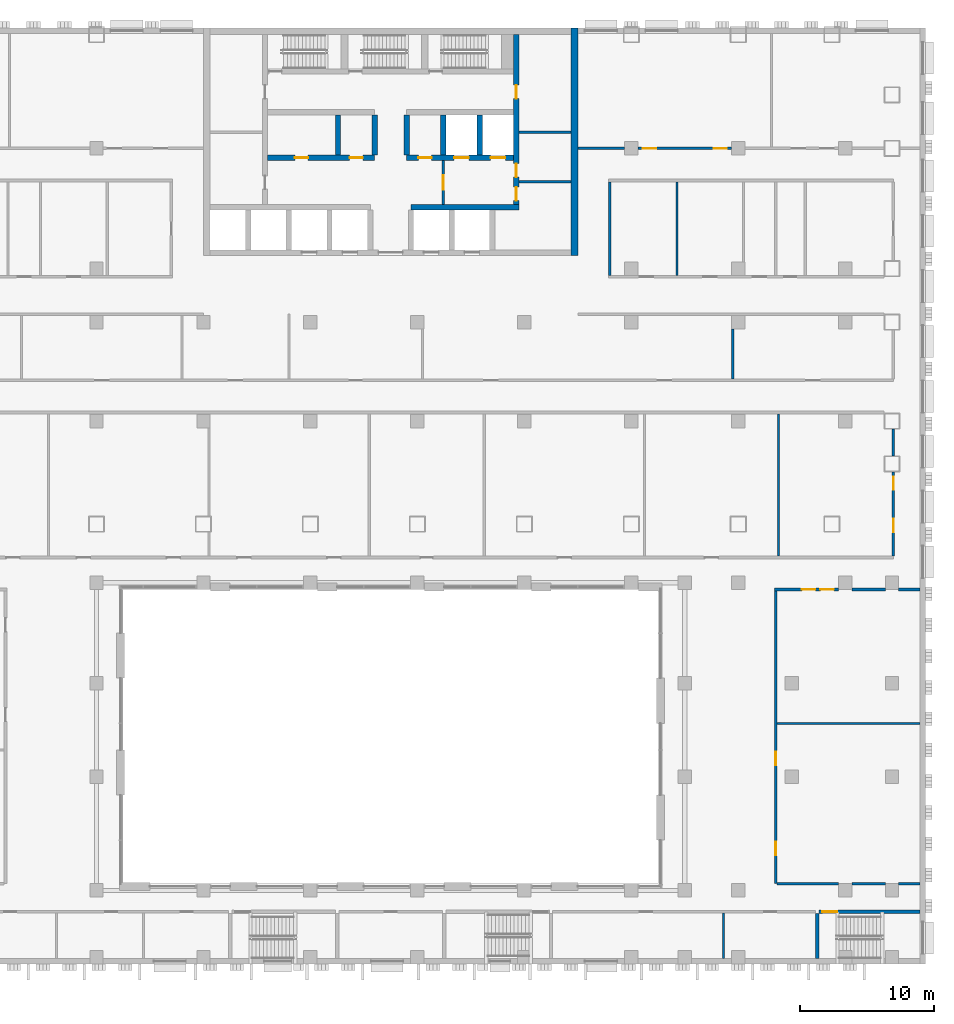
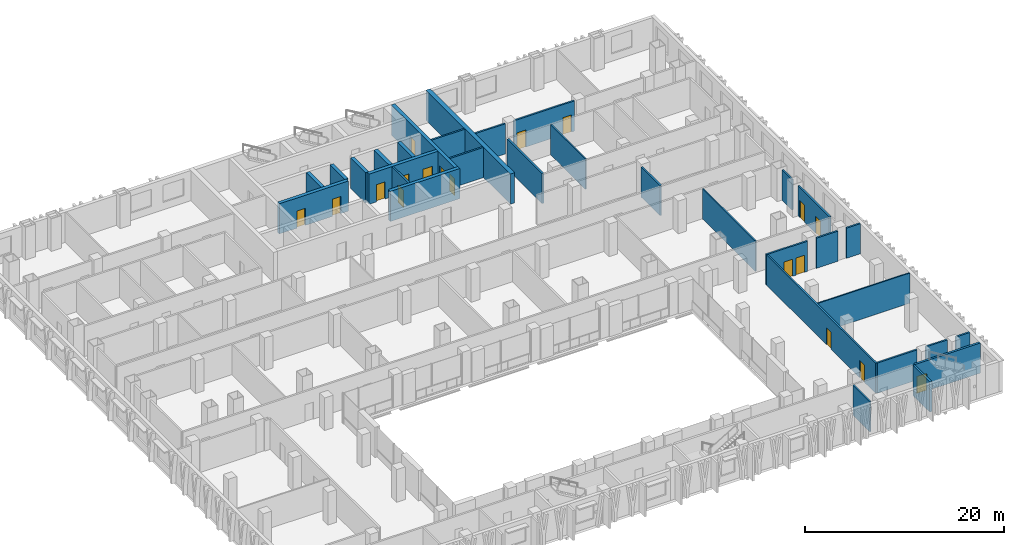
# One storey, part 14 of 25: 32 walls, 18 doors, 18 openings.
"""IFC4 building model written with IfcOpenShell, lengths in metres."""

import ifcopenshell
import ifcopenshell.guid

model = None  # the IFC model being written
_history = None  # IfcOwnerHistory: only IFC2X3 demands one
_inside = {}  # id of a spatial element -> (the spatial element, [elements in it])
_under = {}  # id of a project, library or spatial element -> (it, [spatial elements below it])
_declared = {}  # id of a project -> (the project, [libraries it declares])
_typed = {}  # id of a type object -> (the type object, [elements of that type])
_made_of = {}  # id of a material, layer set ... -> (it, [elements and type objects made of it])


def new_model(schema):
    """Start an empty IFC model of exactly this schema.

    Asked for "IFC4X3", IfcOpenShell would pick the latest addendum, in which some entities
    have other attributes; the version numbers below select the first issue.
    IFC2X3 requires an IfcOwnerHistory on every rooted entity: one is made here for all.
    """
    global model, _history
    if schema == "IFC4X3":
        model = ifcopenshell.file(schema_version=(4, 3, 0, 0))
    else:
        model = ifcopenshell.file(schema=schema)
    _inside.clear()
    _under.clear()
    _declared.clear()
    _typed.clear()
    _made_of.clear()
    _history = None
    if model.schema == "IFC2X3":
        org = make("IfcOrganization", Name="unknown")
        user = make(
            "IfcPersonAndOrganization",
            ThePerson=make("IfcPerson", FamilyName="unknown"),
            TheOrganization=org,
        )
        app = make(
            "IfcApplication",
            ApplicationDeveloper=org,
            Version="unknown",
            ApplicationFullName="unknown",
            ApplicationIdentifier="unknown",
        )
        _history = make(
            "IfcOwnerHistory",
            OwningUser=user,
            OwningApplication=app,
            ChangeAction="ADDED",
            CreationDate=0,
        )
    return model


def make(cls, **values):
    """One entity of the class cls with the attributes given. An attribute that is None is left unset."""
    return model.create_entity(
        cls, **{name: value for name, value in values.items() if value is not None}
    )


def rooted(cls, **values):
    """An entity with a GlobalId (a new one), such as an element, a storey or a relation."""
    return make(cls, GlobalId=ifcopenshell.guid.new(), OwnerHistory=_history, **values)


def si_unit(unit_type, name, prefix=None):
    """IfcSIUnit, for example si_unit("LENGTHUNIT", "METRE", prefix="MILLI")."""
    return make("IfcSIUnit", UnitType=unit_type, Prefix=prefix, Name=name)


def assignment(units):
    """IfcUnitAssignment: the units of a project."""
    return None if units is None else make("IfcUnitAssignment", Units=units)


def point(xyz):
    """IfcCartesianPoint."""
    return None if xyz is None else make("IfcCartesianPoint", Coordinates=xyz)


def direction(xyz):
    """IfcDirection."""
    return None if xyz is None else make("IfcDirection", DirectionRatios=xyz)


def frame(location, z_axis=None, x_axis=None):
    """IfcAxis2Placement3D, a coordinate frame: its origin and axes. An axis left out is left unset."""
    return make(
        "IfcAxis2Placement3D",
        Location=point(location),
        Axis=direction(z_axis),
        RefDirection=direction(x_axis),
    )


def frame_2d(location, x_axis=None):
    """IfcAxis2Placement2D, a coordinate frame in the plane: its origin and x axis."""
    return make(
        "IfcAxis2Placement2D", Location=point(location), RefDirection=direction(x_axis)
    )


def origin():
    """The frame at (0, 0, 0) with its axes left unset."""
    return frame((0.0, 0.0, 0.0))


def place(relative_to, where):
    """IfcLocalPlacement: puts the frame where relative to a parent placement (None: the world)."""
    return make(
        "IfcLocalPlacement", PlacementRelTo=relative_to, RelativePlacement=where
    )


def context(
    kind, dimensions, precision=None, world=None, true_north=None, identifier=None
):
    """IfcGeometricRepresentationContext, for example the 3D "Model" context."""
    return make(
        "IfcGeometricRepresentationContext",
        ContextIdentifier=identifier,
        ContextType=kind,
        CoordinateSpaceDimension=dimensions,
        Precision=precision,
        WorldCoordinateSystem=world,
        TrueNorth=true_north,
    )


def subcontext(parent, identifier, kind, view, scale=None):
    """IfcGeometricRepresentationSubContext, for example "Body" below "Model"."""
    return make(
        "IfcGeometricRepresentationSubContext",
        ContextIdentifier=identifier,
        ContextType=kind,
        ParentContext=parent,
        TargetScale=scale,
        TargetView=view,
    )


def project(units=None, contexts=None):
    """IfcProject with its units and contexts."""
    return rooted(
        "IfcProject",
        Name="project",
        RepresentationContexts=contexts,
        UnitsInContext=assignment(units),
    )


def spatial(cls, under=None, at=None, **own):
    """A site, building, storey or space (cls), placed at a placement, below another one or the project."""
    s = rooted(cls, ObjectPlacement=at, **own)
    if under is not None:
        _under.setdefault(under.id(), (under, []))[1].append(s)
    return s


def profile(cls, at=None, kind="AREA", **sizes):
    """A parametric profile (cls). Its sizes go by their IFC names, for example OverallWidth=200.0."""
    return make(cls, ProfileType=kind, Position=at, **sizes)


def rectangle(**sizes):
    """IfcRectangleProfileDef."""
    return profile("IfcRectangleProfileDef", **sizes)


def extrude(swept, where, along, depth):
    """IfcExtrudedAreaSolid: the profile swept, set in the frame where, extruded along a direction by depth."""
    return make(
        "IfcExtrudedAreaSolid",
        SweptArea=swept,
        Position=where,
        ExtrudedDirection=direction(along),
        Depth=depth,
    )


def shape(context_of_items, identifier, shape_type, items):
    """IfcShapeRepresentation: the items that make up one representation, for example the "Body"."""
    return make(
        "IfcShapeRepresentation",
        ContextOfItems=context_of_items,
        RepresentationIdentifier=identifier,
        RepresentationType=shape_type,
        Items=items,
    )


def material(Name=None, Category=None):
    """IfcMaterial."""
    return make("IfcMaterial", Name=Name, Category=Category)


def layer(
    of_material, thickness, ventilated=None, Name=None, Category=None, Priority=None
):
    """IfcMaterialLayer: one layer of a wall or slab, of a material (None: an air gap)."""
    return make(
        "IfcMaterialLayer",
        Material=of_material,
        LayerThickness=thickness,
        IsVentilated=ventilated,
        Name=Name,
        Category=Category,
        Priority=Priority,
    )


def layer_set(layers, Name=None):
    """IfcMaterialLayerSet."""
    return make("IfcMaterialLayerSet", MaterialLayers=layers, LayerSetName=Name)


def made_of(thing, what):
    """Note that an element or type object is made of a material, layer set ...; save() writes the relation."""
    if what is not None:
        _made_of.setdefault(what.id(), (what, []))[1].append(thing)
    return thing


def type_object(cls, material=None, **own):
    """A type object (cls), such as IfcWallType, which elements share."""
    return made_of(rooted(cls, **own), material)


def element(
    cls,
    number,
    at=None,
    inside=None,
    cuts=None,
    type_object=None,
    material=None,
    context=None,
    identifier="Body",
    shape_type=None,
    held_by="IfcProductDefinitionShape",
    body=None,
    shapes=None,
    **own,
):
    """One element of the class cls, such as IfcWall. Its Tag is "e" and its number.

    at: its placement. inside: the storey or other place that contains it. cuts: it is an
    opening in that element (IfcRelVoidsElement). A single representation is given by context,
    identifier, shape_type and body (its items); several are given by shapes. held_by: the class
    of the entity that holds the representations. save() writes the other relations.
    """
    e = rooted(cls, Tag="e%d" % number, ObjectPlacement=at, **own)
    if body is not None:
        shapes = [shape(context, identifier, shape_type, body)]
    if shapes is not None:
        e.Representation = make(held_by, Representations=shapes)
    if inside is not None:
        _inside.setdefault(inside.id(), (inside, []))[1].append(e)
    if cuts is not None:
        rooted(
            "IfcRelVoidsElement", RelatingBuildingElement=cuts, RelatedOpeningElement=e
        )
    if type_object is not None:
        _typed.setdefault(type_object.id(), (type_object, []))[1].append(e)
    return made_of(e, material)


def fill(opening, filler):
    """IfcRelFillsElement: the door or window that sits in an opening."""
    return rooted(
        "IfcRelFillsElement",
        RelatingOpeningElement=opening,
        RelatedBuildingElement=filler,
    )


def aggregate(whole, parts):
    """IfcRelAggregates: a whole, such as a stair, and the parts it consists of."""
    return rooted("IfcRelAggregates", RelatingObject=whole, RelatedObjects=parts)


def save(model, path):
    """Write the relations noted so far, then the file.

    IfcRelAggregates (storeys below a building ...), IfcRelContainedInSpatialStructure (elements
    in a storey), IfcRelDefinesByType, IfcRelAssociatesMaterial and IfcRelDeclares: one each for
    every whole, place, type object, material and project.
    """
    for whole, parts in _under.values():
        aggregate(whole, parts)
    for where, things in _inside.values():
        rooted(
            "IfcRelContainedInSpatialStructure",
            RelatedElements=things,
            RelatingStructure=where,
        )
    for kind, things in _typed.values():
        rooted("IfcRelDefinesByType", RelatedObjects=things, RelatingType=kind)
    for what, things in _made_of.values():
        rooted("IfcRelAssociatesMaterial", RelatedObjects=things, RelatingMaterial=what)
    for by, libraries in _declared.values():
        rooted("IfcRelDeclares", RelatingContext=by, RelatedDefinitions=libraries)
    model.write(path)


model = new_model("IFC4")

# Units and contexts
model_context = context("Model", 3, precision=1e-05, world=origin(), true_north=direction((0.0, 1.0)))
body_context = subcontext(model_context, "Body", "Model", "MODEL_VIEW")
ifc_project = project(units=[si_unit("LENGTHUNIT", "METRE"), si_unit("AREAUNIT", "SQUARE_METRE"), si_unit("VOLUMEUNIT", "CUBIC_METRE"), si_unit("PLANEANGLEUNIT", "RADIAN"), si_unit("MASSUNIT", "GRAM", prefix="KILO")], contexts=[model_context])

# Site, building, storey
site_placement = place(None, origin())
site = spatial("IfcSite", under=ifc_project, at=site_placement, CompositionType="ELEMENT")
building_placement = place(site_placement, origin())
building = spatial("IfcBuilding", under=site, at=building_placement, Name="Vidyagriha Tower", CompositionType="ELEMENT")
storey_placement = place(building_placement, frame((0.0, 0.0, 14.0)))
storey = spatial("IfcBuildingStorey", under=building, at=storey_placement, Name="L03", CompositionType="ELEMENT", Elevation=14.0)

# Wall, opening, door
ifc_material_1 = material(Name="Concrete C32/40", Category="concrete")
ifc_layer_1 = layer(ifc_material_1, 0.25)
ifc_layer_set_1 = layer_set([ifc_layer_1], Name="Concrete C32/40")
wall_type_1 = type_object("IfcWallType", Name="Concrete Stair Enclosure Wall 250", PredefinedType="SOLIDWALL", material=ifc_layer_set_1)
wall_1_placement = place(storey_placement, frame((32.02490234375, -46.10009765625, 0.0)))
wall_1 = element("IfcWall", 1, at=wall_1_placement, inside=storey, type_object=wall_type_1, Name="L03 Concrete Stair Enclosure Wall 250 006", PredefinedType="SOLIDWALL", context=body_context, shape_type="SweptSolid", body=[
    extrude(rectangle(XDim=7.5751953125, YDim=0.25, at=frame_2d((3.78759765625, 0.0))), origin(), (0.0, 0.0, 1.0), 3.699951171875),
])
opening_1_placement = place(wall_1_placement, frame((0.27001953125, 0.0, 0.0)))
opening_1 = element("IfcOpeningElement", 2, at=opening_1_placement, cuts=wall_1, Name="Opening D03-65", PredefinedType="OPENING", context=body_context, shape_type="SweptSolid", body=[
    extrude(rectangle(XDim=1.10009765625, YDim=2.10009765625, at=frame_2d((0.550048828125, 1.050048828125))), frame((0.0, 0.135009765625, 0.0), z_axis=(0.0, -1.0, 0.0), x_axis=(1.0, 0.0, 0.0)), (0.0, 0.0, 1.0), 0.27001953125),
])
ifc_material_2 = material(Name="Steel fire door set", Category="steel")
door_type_1 = type_object("IfcDoorType", Name="Podium Door 1100x2100 EI 90", OperationType="NOTDEFINED", PredefinedType="DOOR", material=ifc_material_2)
door_1_placement = place(opening_1_placement, origin())
door_1 = element("IfcDoor", 3, at=door_1_placement, inside=storey, type_object=door_type_1, Name="L03 door D03-65", OperationType="SINGLE_SWING_LEFT", OverallHeight=2.10009765625, OverallWidth=1.10009765625, PredefinedType="DOOR", context=body_context, shape_type="SweptSolid", body=[
    extrude(rectangle(XDim=1.10009765625, YDim=2.10009765625, at=frame_2d((0.550048828125, 1.050048828125))), frame((0.0, 0.02490234375, 0.0), z_axis=(0.0, -1.0, 0.0), x_axis=(1.0, 0.0, 0.0)), (0.0, 0.0, 1.0), 0.050048828125),
])
fill(opening_1, door_1)

# Wall
wall_2_placement = place(storey_placement, frame((31.89990234375, -49.60009765625, 0.0), z_axis=(0.0, 0.0, 1.0), x_axis=(0.0, 1.0, 0.0)))
element("IfcWall", 4, at=wall_2_placement, inside=storey, type_object=wall_type_1, Name="L03 Concrete Stair Enclosure Wall 250 077", PredefinedType="SOLIDWALL", context=body_context, shape_type="SweptSolid", body=[
    extrude(rectangle(XDim=3.375, YDim=0.25, at=frame_2d((1.6875, 0.0))), origin(), (0.0, 0.0, 1.0), 3.699951171875),
])

# Wall, openings, doors
ifc_material_3 = material(Name="Concrete C60/75", Category="concrete")
ifc_layer_2 = layer(ifc_material_3, 0.39990234375)
ifc_layer_set_2 = layer_set([ifc_layer_2], Name="Concrete C60/75")
wall_type_2 = type_object("IfcWallType", Name="Core shear wall 400 mm", PredefinedType="SHEAR", material=ifc_layer_set_2)
wall_3_placement = place(storey_placement, frame((9.39990234375, 6.800048828125, 0.0), z_axis=(0.0, 0.0, 1.0), x_axis=(0.0, 1.0, 0.0)))
wall_3 = element("IfcWall", 5, at=wall_3_placement, inside=storey, type_object=wall_type_2, Name="Core east spine wall", PredefinedType="SHEAR", context=body_context, shape_type="SweptSolid", body=[
    extrude(rectangle(XDim=12.699951171875, YDim=0.39990234375, at=frame_2d((6.35009765625, 0.0))), origin(), (0.0, 0.0, 1.0), 3.699951171875),
])
opening_2_placement = place(wall_3_placement, frame((0.300048828125, 0.0, 0.0)))
opening_2 = element("IfcOpeningElement", 6, at=opening_2_placement, cuts=wall_3, Name="Opening D03-11", PredefinedType="OPENING", context=body_context, shape_type="SweptSolid", body=[
    extrude(rectangle(XDim=1.0, YDim=2.10009765625, at=frame_2d((0.5, 1.050048828125))), frame((0.0, 0.2099609375, 0.0), z_axis=(0.0, -1.0, 0.0), x_axis=(1.0, 0.0, 0.0)), (0.0, 0.0, 1.0), 0.419921875),
])
opening_3_placement = place(wall_3_placement, frame((2.050048828125, 0.0, 0.0)))
opening_3 = element("IfcOpeningElement", 7, at=opening_3_placement, cuts=wall_3, Name="Opening D03-12", PredefinedType="OPENING", context=body_context, shape_type="SweptSolid", body=[
    extrude(rectangle(XDim=1.0, YDim=2.10009765625, at=frame_2d((0.5, 1.050048828125))), frame((0.0, 0.2099609375, 0.0), z_axis=(0.0, -1.0, 0.0), x_axis=(1.0, 0.0, 0.0)), (0.0, 0.0, 1.0), 0.419921875),
])
opening_4_placement = place(wall_3_placement, frame((7.925048828125, 0.0, 0.0)))
opening_4 = element("IfcOpeningElement", 8, at=opening_4_placement, cuts=wall_3, Name="Opening D03-13", PredefinedType="OPENING", context=body_context, shape_type="SweptSolid", body=[
    extrude(rectangle(XDim=1.0, YDim=2.10009765625, at=frame_2d((0.5, 1.050048828125))), frame((0.0, 0.2099609375, 0.0), z_axis=(0.0, -1.0, 0.0), x_axis=(1.0, 0.0, 0.0)), (0.0, 0.0, 1.0), 0.419921875),
])
ifc_material_4 = material(Name="Hollow metal door leaf")
door_type_2 = type_object("IfcDoorType", Name="Core room door 1000 x 2100 mm EI 60", OperationType="NOTDEFINED", PredefinedType="DOOR", material=ifc_material_4)
door_2_placement = place(opening_2_placement, origin())
door_2 = element("IfcDoor", 9, at=door_2_placement, inside=storey, type_object=door_type_2, Name="Door Switchgear Room 03.E1", OperationType="SINGLE_SWING_RIGHT", OverallHeight=2.10009765625, OverallWidth=1.0, PredefinedType="DOOR", context=body_context, shape_type="SweptSolid", body=[
    extrude(rectangle(XDim=1.0, YDim=2.10009765625, at=frame_2d((0.5, 1.050048828125))), frame((0.0, 0.02490234375, 0.0), z_axis=(0.0, -1.0, 0.0), x_axis=(1.0, 0.0, 0.0)), (0.0, 0.0, 1.0), 0.050048828125),
])
fill(opening_2, door_2)
door_3_placement = place(opening_3_placement, origin())
door_3 = element("IfcDoor", 10, at=door_3_placement, inside=storey, type_object=door_type_2, Name="Door Communications Room 03.E2", OperationType="SINGLE_SWING_LEFT", OverallHeight=2.10009765625, OverallWidth=1.0, PredefinedType="DOOR", context=body_context, shape_type="SweptSolid", body=[
    extrude(rectangle(XDim=1.0, YDim=2.10009765625, at=frame_2d((0.5, 1.050048828125))), frame((0.0, 0.02490234375, 0.0), z_axis=(0.0, -1.0, 0.0), x_axis=(1.0, 0.0, 0.0)), (0.0, 0.0, 1.0), 0.050048828125),
])
fill(opening_3, door_3)
door_4_placement = place(opening_4_placement, origin())
door_4 = element("IfcDoor", 11, at=door_4_placement, inside=storey, type_object=door_type_2, Name="Door Pressurisation Plant Room 03.E3", OperationType="SINGLE_SWING_LEFT", OverallHeight=2.10009765625, OverallWidth=1.0, PredefinedType="DOOR", context=body_context, shape_type="SweptSolid", body=[
    extrude(rectangle(XDim=1.0, YDim=2.10009765625, at=frame_2d((0.5, 1.050048828125))), frame((0.0, 0.02490234375, 0.0), z_axis=(0.0, -1.0, 0.0), x_axis=(1.0, 0.0, 0.0)), (0.0, 0.0, 1.0), 0.050048828125),
])
fill(opening_4, door_4)

# Wall
wall_4_placement = place(storey_placement, frame((1.522216796875, 6.60009765625, 0.0)))
element("IfcWall", 12, at=wall_4_placement, inside=storey, type_object=wall_type_2, Name="Core lobby south wall east", PredefinedType="SHEAR", context=body_context, shape_type="SweptSolid", body=[
    extrude(rectangle(XDim=8.077880859375, YDim=0.39990234375, at=frame_2d((4.0390625, 0.0))), origin(), (0.0, 0.0, 1.0), 3.699951171875),
])

# Wall, openings, doors
wall_5_placement = place(storey_placement, frame((-9.199951171875, 10.300048828125, 0.0)))
wall_5 = element("IfcWall", 13, at=wall_5_placement, inside=storey, type_object=wall_type_2, Name="Core row N front wall", PredefinedType="SHEAR", context=body_context, shape_type="SweptSolid", body=[
    extrude(rectangle(XDim=8.0, YDim=0.39990234375, at=frame_2d((4.0, 0.0))), origin(), (0.0, 0.0, 1.0), 3.699951171875),
])
opening_5_placement = place(wall_5_placement, frame((2.033203125, 0.0, 0.0)))
opening_5 = element("IfcOpeningElement", 14, at=opening_5_placement, cuts=wall_5, Name="Opening D03-02", PredefinedType="OPENING", context=body_context, shape_type="SweptSolid", body=[
    extrude(rectangle(XDim=1.0, YDim=2.10009765625, at=frame_2d((0.5, 1.050048828125))), frame((0.0, 0.2099609375, 0.0), z_axis=(0.0, -1.0, 0.0), x_axis=(1.0, 0.0, 0.0)), (0.0, 0.0, 1.0), 0.419921875),
])
opening_6_placement = place(wall_5_placement, frame((6.13330078125, 0.0, 0.0)))
opening_6 = element("IfcOpeningElement", 15, at=opening_6_placement, cuts=wall_5, Name="Opening D03-03", PredefinedType="OPENING", context=body_context, shape_type="SweptSolid", body=[
    extrude(rectangle(XDim=1.0, YDim=2.10009765625, at=frame_2d((0.5, 1.050048828125))), frame((0.0, 0.2099609375, 0.0), z_axis=(0.0, -1.0, 0.0), x_axis=(1.0, 0.0, 0.0)), (0.0, 0.0, 1.0), 0.419921875),
])
door_5_placement = place(opening_5_placement, frame((1.0, 0.0, 0.0), z_axis=(0.0, 0.0, 1.0), x_axis=(-1.0, 0.0, 0.0)))
door_5 = element("IfcDoor", 16, at=door_5_placement, inside=storey, type_object=door_type_2, Name="Door Cleaners Store 03.14", OperationType="SINGLE_SWING_RIGHT", OverallHeight=2.10009765625, OverallWidth=1.0, PredefinedType="DOOR", context=body_context, shape_type="SweptSolid", body=[
    extrude(rectangle(XDim=1.0, YDim=2.10009765625, at=frame_2d((0.5, 1.050048828125))), frame((0.0, 0.02490234375, 0.0), z_axis=(0.0, -1.0, 0.0), x_axis=(1.0, 0.0, 0.0)), (0.0, 0.0, 1.0), 0.050048828125),
])
fill(opening_5, door_5)
door_6_placement = place(opening_6_placement, frame((1.0, 0.0, 0.0), z_axis=(0.0, 0.0, 1.0), x_axis=(-1.0, 0.0, 0.0)))
door_6 = element("IfcDoor", 17, at=door_6_placement, inside=storey, type_object=door_type_2, Name="Door Pressurisation Plant Room 03.15", OperationType="SINGLE_SWING_LEFT", OverallHeight=2.10009765625, OverallWidth=1.0, PredefinedType="DOOR", context=body_context, shape_type="SweptSolid", body=[
    extrude(rectangle(XDim=1.0, YDim=2.10009765625, at=frame_2d((0.5, 1.050048828125))), frame((0.0, 0.02490234375, 0.0), z_axis=(0.0, -1.0, 0.0), x_axis=(1.0, 0.0, 0.0)), (0.0, 0.0, 1.0), 0.050048828125),
])
fill(opening_6, door_6)

wall_6_placement = place(storey_placement, frame((1.199951171875, 10.300048828125, 0.0)))
wall_6 = element("IfcWall", 18, at=wall_6_placement, inside=storey, type_object=wall_type_2, Name="Core row N front wall", PredefinedType="SHEAR", context=body_context, shape_type="SweptSolid", body=[
    extrude(rectangle(XDim=8.0, YDim=0.39990234375, at=frame_2d((4.0, 0.0))), origin(), (0.0, 0.0, 1.0), 3.699951171875),
])
opening_7_placement = place(wall_6_placement, frame((3.550048828125, 0.0, 0.0)))
opening_7 = element("IfcOpeningElement", 19, at=opening_7_placement, cuts=wall_6, Name="Opening LD03-05", PredefinedType="OPENING", context=body_context, shape_type="SweptSolid", body=[
    extrude(rectangle(XDim=1.10009765625, YDim=2.10009765625, at=frame_2d((0.550048828125, 1.050048828125))), frame((0.0, 0.2099609375, 0.0), z_axis=(0.0, -1.0, 0.0), x_axis=(1.0, 0.0, 0.0)), (0.0, 0.0, 1.0), 0.419921875),
])
opening_8_placement = place(wall_6_placement, frame((6.283203125, 0.0, 0.0)))
opening_8 = element("IfcOpeningElement", 20, at=opening_8_placement, cuts=wall_6, Name="Opening LD03-06", PredefinedType="OPENING", context=body_context, shape_type="SweptSolid", body=[
    extrude(rectangle(XDim=1.10009765625, YDim=2.10009765625, at=frame_2d((0.550048828125, 1.050048828125))), frame((0.0, 0.2099609375, 0.0), z_axis=(0.0, -1.0, 0.0), x_axis=(1.0, 0.0, 0.0)), (0.0, 0.0, 1.0), 0.419921875),
])
opening_9_placement = place(wall_6_placement, frame((0.86669921875, 0.0, 0.0)))
opening_9 = element("IfcOpeningElement", 21, at=opening_9_placement, cuts=wall_6, Name="Opening D03-04", PredefinedType="OPENING", context=body_context, shape_type="SweptSolid", body=[
    extrude(rectangle(XDim=1.0, YDim=2.10009765625, at=frame_2d((0.5, 1.050048828125))), frame((0.0, 0.2099609375, 0.0), z_axis=(0.0, -1.0, 0.0), x_axis=(1.0, 0.0, 0.0)), (0.0, 0.0, 1.0), 0.419921875),
])
door_7_placement = place(opening_9_placement, frame((1.0, 0.0, 0.0), z_axis=(0.0, 0.0, 1.0), x_axis=(-1.0, 0.0, 0.0)))
door_7 = element("IfcDoor", 22, at=door_7_placement, inside=storey, type_object=door_type_2, Name="Door Switchgear Room 03.16", OperationType="SINGLE_SWING_LEFT", OverallHeight=2.10009765625, OverallWidth=1.0, PredefinedType="DOOR", context=body_context, shape_type="SweptSolid", body=[
    extrude(rectangle(XDim=1.0, YDim=2.10009765625, at=frame_2d((0.5, 1.050048828125))), frame((0.0, 0.02490234375, 0.0), z_axis=(0.0, -1.0, 0.0), x_axis=(1.0, 0.0, 0.0)), (0.0, 0.0, 1.0), 0.050048828125),
])
fill(opening_9, door_7)
ifc_material_5 = material(Name="Stainless steel sliding door panel", Category="steel")
door_type_3 = type_object("IfcDoorType", Name="Lift landing door 1100 x 2100 mm EI 90", OperationType="NOTDEFINED", PredefinedType="DOOR", material=ifc_material_5)
door_8_placement = place(opening_7_placement, origin())
door_8 = element("IfcDoor", 23, at=door_8_placement, inside=storey, type_object=door_type_3, Name="Landing door FF1 L03", OperationType="SLIDING_TO_LEFT", OverallHeight=2.10009765625, OverallWidth=1.10009765625, PredefinedType="DOOR", context=body_context, shape_type="SweptSolid", body=[
    extrude(rectangle(XDim=1.10009765625, YDim=2.10009765625, at=frame_2d((0.550048828125, 1.050048828125))), frame((0.0, 0.02490234375, 0.0), z_axis=(0.0, -1.0, 0.0), x_axis=(1.0, 0.0, 0.0)), (0.0, 0.0, 1.0), 0.050048828125),
])
fill(opening_7, door_8)
door_9_placement = place(opening_8_placement, origin())
door_9 = element("IfcDoor", 24, at=door_9_placement, inside=storey, type_object=door_type_3, Name="Landing door FF2 L03", OperationType="SLIDING_TO_LEFT", OverallHeight=2.10009765625, OverallWidth=1.10009765625, PredefinedType="DOOR", context=body_context, shape_type="SweptSolid", body=[
    extrude(rectangle(XDim=1.10009765625, YDim=2.10009765625, at=frame_2d((0.550048828125, 1.050048828125))), frame((0.0, 0.02490234375, 0.0), z_axis=(0.0, -1.0, 0.0), x_axis=(1.0, 0.0, 0.0)), (0.0, 0.0, 1.0), 0.050048828125),
])
fill(opening_8, door_9)

# Walls
for number, where, z_axis, x_axis, name in (
    (25, (-3.933349609375, 10.5, 0.0), (0.0, 0.0, 1.0), (0.0, 1.0, 0.0), "Core bay wall N2"),
    (26, (-1.199951171875, 10.5, 0.0), (0.0, 0.0, 1.0), (0.0, 1.0, 0.0), "Core bay wall N3"),
    (27, (1.199951171875, 10.5, 0.0), (0.0, 0.0, 1.0), (0.0, 1.0, 0.0), "Core bay wall N4"),
    (28, (3.933349609375, 10.5, 0.0), (0.0, 0.0, 1.0), (0.0, 1.0, 0.0), "Core bay wall N5"),
    (29, (6.666748046875, 10.5, 0.0), (0.0, 0.0, 1.0), (0.0, 1.0, 0.0), "Core bay wall N6"),
):
    element("IfcWall", number, at=place(storey_placement, frame(where, z_axis=z_axis, x_axis=x_axis)), inside=storey, type_object=wall_type_2, Name=name, PredefinedType="SHEAR", context=body_context, shape_type="SweptSolid", body=[
        extrude(rectangle(XDim=3.0, YDim=0.39990234375, at=frame_2d((1.5, 0.0))), origin(), (0.0, 0.0, 1.0), 3.699951171875),
    ])
ifc_material_6 = material(Name="Concrete C60/75", Category="concrete")
ifc_layer_3 = layer(ifc_material_6, 0.5)
ifc_layer_set_3 = layer_set([ifc_layer_3], Name="Concrete C60/75")
wall_type_3 = type_object("IfcWallType", Name="Core shear wall 500 mm", PredefinedType="SHEAR", material=ifc_layer_set_3)
wall_7_placement = place(storey_placement, frame((13.75, 3.0, 0.0), z_axis=(0.0, 0.0, 1.0), x_axis=(0.0, 1.0, 0.0)))
element("IfcWall", 30, at=wall_7_placement, inside=storey, type_object=wall_type_3, Name="Core east wall", PredefinedType="SHEAR", context=body_context, shape_type="SweptSolid", body=[
    extrude(rectangle(XDim=17.0, YDim=0.5, at=frame_2d((8.5, 0.0))), origin(), (0.0, 0.0, 1.0), 3.699951171875),
])
ifc_material_7 = material(Name="Fire rated gypsum board on light gauge framing")
ifc_layer_4 = layer(ifc_material_7, 0.199951171875)
ifc_layer_set_4 = layer_set([ifc_layer_4], Name="Fire rated gypsum board on light gauge framing")
wall_type_4 = type_object("IfcWallType", Name="Fire Rated Corridor Wall 200", PredefinedType="PARTITIONING", material=ifc_layer_set_4)
wall_8_placement = place(storey_placement, frame((28.900146484375, -44.0, 0.0)))
element("IfcWall", 31, at=wall_8_placement, inside=storey, type_object=wall_type_4, Name="L03 Fire Rated Corridor Wall 200 010", PredefinedType="PARTITIONING", context=body_context, shape_type="SweptSolid", body=[
    extrude(rectangle(XDim=4.599853515625, YDim=0.199951171875, at=frame_2d((2.2998046875, 0.0))), origin(), (0.0, 0.0, 1.0), 3.699951171875),
])
wall_9_placement = place(storey_placement, frame((34.5, -44.0, 0.0)))
element("IfcWall", 32, at=wall_9_placement, inside=storey, type_object=wall_type_4, Name="L03 Fire Rated Corridor Wall 200 011", PredefinedType="PARTITIONING", context=body_context, shape_type="SweptSolid", body=[
    extrude(rectangle(XDim=2.5, YDim=0.199951171875, at=frame_2d((1.25, 0.0))), origin(), (0.0, 0.0, 1.0), 3.699951171875),
])
wall_10_placement = place(storey_placement, frame((38.0, -44.0, 0.0)))
element("IfcWall", 33, at=wall_10_placement, inside=storey, type_object=wall_type_4, Name="L03 Fire Rated Corridor Wall 200 012", PredefinedType="PARTITIONING", context=body_context, shape_type="SweptSolid", body=[
    extrude(rectangle(XDim=1.60009765625, YDim=0.199951171875, at=frame_2d((0.800048828125, 0.0))), origin(), (0.0, 0.0, 1.0), 3.699951171875),
])

# Wall, openings, doors
wall_11_placement = place(storey_placement, frame((28.7001953125, -22.0, 0.0)))
wall_11 = element("IfcWall", 34, at=wall_11_placement, inside=storey, type_object=wall_type_4, Name="L03 Fire Rated Corridor Wall 200 018", PredefinedType="PARTITIONING", context=body_context, shape_type="SweptSolid", body=[
    extrude(rectangle(XDim=4.7998046875, YDim=0.199951171875, at=frame_2d((2.39990234375, 0.0))), origin(), (0.0, 0.0, 1.0), 3.699951171875),
])
opening_10_placement = place(wall_11_placement, frame((2.06396484375, 0.0, 0.0)))
opening_10 = element("IfcOpeningElement", 35, at=opening_10_placement, cuts=wall_11, Name="Opening D03-20", PredefinedType="OPENING", context=body_context, shape_type="SweptSolid", body=[
    extrude(rectangle(XDim=1.0, YDim=2.10009765625, at=frame_2d((0.5, 1.050048828125))), frame((0.0, 0.10986328125, 0.0), z_axis=(0.0, -1.0, 0.0), x_axis=(1.0, 0.0, 0.0)), (0.0, 0.0, 1.0), 0.219970703125),
])
opening_11_placement = place(wall_11_placement, frame((3.449951171875, 0.0, 0.0)))
opening_11 = element("IfcOpeningElement", 36, at=opening_11_placement, cuts=wall_11, Name="Opening D03-21", PredefinedType="OPENING", context=body_context, shape_type="SweptSolid", body=[
    extrude(rectangle(XDim=1.0, YDim=2.10009765625, at=frame_2d((0.5, 1.050048828125))), frame((0.0, 0.10986328125, 0.0), z_axis=(0.0, -1.0, 0.0), x_axis=(1.0, 0.0, 0.0)), (0.0, 0.0, 1.0), 0.219970703125),
])
ifc_material_8 = material(Name="Steel fire door set", Category="steel")
door_type_4 = type_object("IfcDoorType", Name="Podium Door 1000x2100 EI 30", OperationType="NOTDEFINED", PredefinedType="DOOR", material=ifc_material_8)
door_10_placement = place(opening_10_placement, frame((1.0, 0.0, 0.0), z_axis=(0.0, 0.0, 1.0), x_axis=(-1.0, 0.0, 0.0)))
door_10 = element("IfcDoor", 37, at=door_10_placement, inside=storey, type_object=door_type_4, Name="L03 door D03-20", OperationType="SINGLE_SWING_RIGHT", OverallHeight=2.10009765625, OverallWidth=1.0, PredefinedType="DOOR", context=body_context, shape_type="SweptSolid", body=[
    extrude(rectangle(XDim=1.0, YDim=2.10009765625, at=frame_2d((0.5, 1.050048828125))), frame((0.0, 0.02490234375, 0.0), z_axis=(0.0, -1.0, 0.0), x_axis=(1.0, 0.0, 0.0)), (0.0, 0.0, 1.0), 0.050048828125),
])
fill(opening_10, door_10)
door_11_placement = place(opening_11_placement, frame((1.0, 0.0, 0.0), z_axis=(0.0, 0.0, 1.0), x_axis=(-1.0, 0.0, 0.0)))
door_11 = element("IfcDoor", 38, at=door_11_placement, inside=storey, type_object=door_type_4, Name="L03 door D03-21", OperationType="SINGLE_SWING_RIGHT", OverallHeight=2.10009765625, OverallWidth=1.0, PredefinedType="DOOR", context=body_context, shape_type="SweptSolid", body=[
    extrude(rectangle(XDim=1.0, YDim=2.10009765625, at=frame_2d((0.5, 1.050048828125))), frame((0.0, 0.02490234375, 0.0), z_axis=(0.0, -1.0, 0.0), x_axis=(1.0, 0.0, 0.0)), (0.0, 0.0, 1.0), 0.050048828125),
])
fill(opening_11, door_11)

# Walls
wall_12_placement = place(storey_placement, frame((34.5, -22.0, 0.0)))
element("IfcWall", 39, at=wall_12_placement, inside=storey, type_object=wall_type_4, Name="L03 Fire Rated Corridor Wall 200 019", PredefinedType="PARTITIONING", context=body_context, shape_type="SweptSolid", body=[
    extrude(rectangle(XDim=2.5, YDim=0.199951171875, at=frame_2d((1.25, 0.0))), origin(), (0.0, 0.0, 1.0), 3.699951171875),
])
wall_13_placement = place(storey_placement, frame((38.0, -22.0, 0.0)))
element("IfcWall", 40, at=wall_13_placement, inside=storey, type_object=wall_type_4, Name="L03 Fire Rated Corridor Wall 200 020", PredefinedType="PARTITIONING", context=body_context, shape_type="SweptSolid", body=[
    extrude(rectangle(XDim=1.60009765625, YDim=0.199951171875, at=frame_2d((0.800048828125, 0.0))), origin(), (0.0, 0.0, 1.0), 3.699951171875),
])
wall_14_placement = place(storey_placement, frame((14.0, 11.0, 0.0)))
element("IfcWall", 41, at=wall_14_placement, inside=storey, type_object=wall_type_4, Name="L03 Fire Rated Corridor Wall 200 034", PredefinedType="PARTITIONING", context=body_context, shape_type="SweptSolid", body=[
    extrude(rectangle(XDim=3.5, YDim=0.199951171875, at=frame_2d((1.75, 0.0))), origin(), (0.0, 0.0, 1.0), 3.699951171875),
])

# Wall, openings, doors
wall_15_placement = place(storey_placement, frame((18.5, 11.0, 0.0)))
wall_15 = element("IfcWall", 42, at=wall_15_placement, inside=storey, type_object=wall_type_4, Name="L03 Fire Rated Corridor Wall 200 035", PredefinedType="PARTITIONING", context=body_context, shape_type="SweptSolid", body=[
    extrude(rectangle(XDim=7.0, YDim=0.199951171875, at=frame_2d((3.5, 0.0))), origin(), (0.0, 0.0, 1.0), 3.699951171875),
])
opening_12_placement = place(wall_15_placement, frame((0.35009765625, 0.0, 0.0)))
opening_12 = element("IfcOpeningElement", 43, at=opening_12_placement, cuts=wall_15, Name="Opening D03-60", PredefinedType="OPENING", context=body_context, shape_type="SweptSolid", body=[
    extrude(rectangle(XDim=1.0, YDim=2.10009765625, at=frame_2d((0.5, 1.050048828125))), frame((0.0, 0.10986328125, 0.0), z_axis=(0.0, -1.0, 0.0), x_axis=(1.0, 0.0, 0.0)), (0.0, 0.0, 1.0), 0.219970703125),
])
opening_13_placement = place(wall_15_placement, frame((5.64990234375, 0.0, 0.0)))
opening_13 = element("IfcOpeningElement", 44, at=opening_13_placement, cuts=wall_15, Name="Opening D03-61", PredefinedType="OPENING", context=body_context, shape_type="SweptSolid", body=[
    extrude(rectangle(XDim=1.0, YDim=2.10009765625, at=frame_2d((0.5, 1.050048828125))), frame((0.0, 0.10986328125, 0.0), z_axis=(0.0, -1.0, 0.0), x_axis=(1.0, 0.0, 0.0)), (0.0, 0.0, 1.0), 0.219970703125),
])
door_12_placement = place(opening_12_placement, origin())
door_12 = element("IfcDoor", 45, at=door_12_placement, inside=storey, type_object=door_type_4, Name="L03 door D03-60", OperationType="SINGLE_SWING_LEFT", OverallHeight=2.10009765625, OverallWidth=1.0, PredefinedType="DOOR", context=body_context, shape_type="SweptSolid", body=[
    extrude(rectangle(XDim=1.0, YDim=2.10009765625, at=frame_2d((0.5, 1.050048828125))), frame((0.0, 0.02490234375, 0.0), z_axis=(0.0, -1.0, 0.0), x_axis=(1.0, 0.0, 0.0)), (0.0, 0.0, 1.0), 0.050048828125),
])
fill(opening_12, door_12)
door_13_placement = place(opening_13_placement, origin())
door_13 = element("IfcDoor", 46, at=door_13_placement, inside=storey, type_object=door_type_4, Name="L03 door D03-61", OperationType="SINGLE_SWING_RIGHT", OverallHeight=2.10009765625, OverallWidth=1.0, PredefinedType="DOOR", context=body_context, shape_type="SweptSolid", body=[
    extrude(rectangle(XDim=1.0, YDim=2.10009765625, at=frame_2d((0.5, 1.050048828125))), frame((0.0, 0.02490234375, 0.0), z_axis=(0.0, -1.0, 0.0), x_axis=(1.0, 0.0, 0.0)), (0.0, 0.0, 1.0), 0.050048828125),
])
fill(opening_13, door_13)

# Walls
wall_16_placement = place(storey_placement, frame((16.39990234375, 1.5, 0.0), z_axis=(0.0, 0.0, 1.0), x_axis=(0.0, 1.0, 0.0)))
element("IfcWall", 47, at=wall_16_placement, inside=storey, type_object=wall_type_4, Name="L03 Fire Rated Corridor Wall 200 066", PredefinedType="PARTITIONING", context=body_context, shape_type="SweptSolid", body=[
    extrude(rectangle(XDim=7.0, YDim=0.199951171875, at=frame_2d((3.5, 0.0))), origin(), (0.0, 0.0, 1.0), 3.699951171875),
])
wall_17_placement = place(storey_placement, frame((25.60009765625, -6.25, 0.0), z_axis=(0.0, 0.0, 1.0), x_axis=(0.0, 1.0, 0.0)))
element("IfcWall", 48, at=wall_17_placement, inside=storey, type_object=wall_type_4, Name="L03 Fire Rated Corridor Wall 200 070", PredefinedType="PARTITIONING", context=body_context, shape_type="SweptSolid", body=[
    extrude(rectangle(XDim=3.75, YDim=0.199951171875, at=frame_2d((1.875, 0.0))), origin(), (0.0, 0.0, 1.0), 3.699951171875),
])

# Wall, openings, doors
wall_18_placement = place(storey_placement, frame((28.800048828125, -44.0, 0.0), z_axis=(0.0, 0.0, 1.0), x_axis=(0.0, 1.0, 0.0)))
wall_18 = element("IfcWall", 49, at=wall_18_placement, inside=storey, type_object=wall_type_4, Name="L03 Fire Rated Corridor Wall 200 073", PredefinedType="PARTITIONING", context=body_context, shape_type="SweptSolid", body=[
    extrude(rectangle(XDim=21.89990234375, YDim=0.199951171875, at=frame_2d((10.949951171875, 0.0))), origin(), (0.0, 0.0, 1.0), 3.699951171875),
])
opening_14_placement = place(wall_18_placement, frame((2.139892578125, 0.0, 0.0)))
opening_14 = element("IfcOpeningElement", 50, at=opening_14_placement, cuts=wall_18, Name="Opening D03-18", PredefinedType="OPENING", context=body_context, shape_type="SweptSolid", body=[
    extrude(rectangle(XDim=1.0, YDim=2.10009765625, at=frame_2d((0.5, 1.050048828125))), frame((0.0, 0.10986328125, 0.0), z_axis=(0.0, -1.0, 0.0), x_axis=(1.0, 0.0, 0.0)), (0.0, 0.0, 1.0), 0.219970703125),
])
opening_15_placement = place(wall_18_placement, frame((8.85986328125, 0.0, 0.0)))
opening_15 = element("IfcOpeningElement", 51, at=opening_15_placement, cuts=wall_18, Name="Opening D03-19", PredefinedType="OPENING", context=body_context, shape_type="SweptSolid", body=[
    extrude(rectangle(XDim=1.0, YDim=2.10009765625, at=frame_2d((0.5, 1.050048828125))), frame((0.0, 0.10986328125, 0.0), z_axis=(0.0, -1.0, 0.0), x_axis=(1.0, 0.0, 0.0)), (0.0, 0.0, 1.0), 0.219970703125),
])
door_14_placement = place(opening_14_placement, frame((1.0, 0.0, 0.0), z_axis=(0.0, 0.0, 1.0), x_axis=(-1.0, 0.0, 0.0)))
door_14 = element("IfcDoor", 52, at=door_14_placement, inside=storey, type_object=door_type_4, Name="L03 door D03-18", OperationType="SINGLE_SWING_LEFT", OverallHeight=2.10009765625, OverallWidth=1.0, PredefinedType="DOOR", context=body_context, shape_type="SweptSolid", body=[
    extrude(rectangle(XDim=1.0, YDim=2.10009765625, at=frame_2d((0.5, 1.050048828125))), frame((0.0, 0.02490234375, 0.0), z_axis=(0.0, -1.0, 0.0), x_axis=(1.0, 0.0, 0.0)), (0.0, 0.0, 1.0), 0.050048828125),
])
fill(opening_14, door_14)
door_15_placement = place(opening_15_placement, frame((1.0, 0.0, 0.0), z_axis=(0.0, 0.0, 1.0), x_axis=(-1.0, 0.0, 0.0)))
door_15 = element("IfcDoor", 53, at=door_15_placement, inside=storey, type_object=door_type_4, Name="L03 door D03-19", OperationType="SINGLE_SWING_LEFT", OverallHeight=2.10009765625, OverallWidth=1.0, PredefinedType="DOOR", context=body_context, shape_type="SweptSolid", body=[
    extrude(rectangle(XDim=1.0, YDim=2.10009765625, at=frame_2d((0.5, 1.050048828125))), frame((0.0, 0.02490234375, 0.0), z_axis=(0.0, -1.0, 0.0), x_axis=(1.0, 0.0, 0.0)), (0.0, 0.0, 1.0), 0.050048828125),
])
fill(opening_15, door_15)

wall_19_placement = place(storey_placement, frame((37.60009765625, -19.5, 0.0), z_axis=(0.0, 0.0, 1.0), x_axis=(0.0, 1.0, 0.0)))
wall_19 = element("IfcWall", 54, at=wall_19_placement, inside=storey, type_object=wall_type_4, Name="L03 Fire Rated Corridor Wall 200 078", PredefinedType="PARTITIONING", context=body_context, shape_type="SweptSolid", body=[
    extrude(rectangle(XDim=6.300048828125, YDim=0.199951171875, at=frame_2d((3.14990234375, 0.0))), origin(), (0.0, 0.0, 1.0), 3.699951171875),
])
opening_16_placement = place(wall_19_placement, frame((1.786865234375, 0.0, 0.0)))
opening_16 = element("IfcOpeningElement", 55, at=opening_16_placement, cuts=wall_19, Name="Opening D03-37", PredefinedType="OPENING", context=body_context, shape_type="SweptSolid", body=[
    extrude(rectangle(XDim=1.0, YDim=2.10009765625, at=frame_2d((0.5, 1.050048828125))), frame((0.0, 0.10986328125, 0.0), z_axis=(0.0, -1.0, 0.0), x_axis=(1.0, 0.0, 0.0)), (0.0, 0.0, 1.0), 0.219970703125),
])
opening_17_placement = place(wall_19_placement, frame((4.949951171875, 0.0, 0.0)))
opening_17 = element("IfcOpeningElement", 56, at=opening_17_placement, cuts=wall_19, Name="Opening D03-38", PredefinedType="OPENING", context=body_context, shape_type="SweptSolid", body=[
    extrude(rectangle(XDim=1.0, YDim=2.10009765625, at=frame_2d((0.5, 1.050048828125))), frame((0.0, 0.10986328125, 0.0), z_axis=(0.0, -1.0, 0.0), x_axis=(1.0, 0.0, 0.0)), (0.0, 0.0, 1.0), 0.219970703125),
])
door_16_placement = place(opening_16_placement, origin())
door_16 = element("IfcDoor", 57, at=door_16_placement, inside=storey, type_object=door_type_4, Name="L03 door D03-37", OperationType="SINGLE_SWING_LEFT", OverallHeight=2.10009765625, OverallWidth=1.0, PredefinedType="DOOR", context=body_context, shape_type="SweptSolid", body=[
    extrude(rectangle(XDim=1.0, YDim=2.10009765625, at=frame_2d((0.5, 1.050048828125))), frame((0.0, 0.02490234375, 0.0), z_axis=(0.0, -1.0, 0.0), x_axis=(1.0, 0.0, 0.0)), (0.0, 0.0, 1.0), 0.050048828125),
])
fill(opening_16, door_16)
door_17_placement = place(opening_17_placement, origin())
door_17 = element("IfcDoor", 58, at=door_17_placement, inside=storey, type_object=door_type_4, Name="L03 door D03-38", OperationType="SINGLE_SWING_RIGHT", OverallHeight=2.10009765625, OverallWidth=1.0, PredefinedType="DOOR", context=body_context, shape_type="SweptSolid", body=[
    extrude(rectangle(XDim=1.0, YDim=2.10009765625, at=frame_2d((0.5, 1.050048828125))), frame((0.0, 0.02490234375, 0.0), z_axis=(0.0, -1.0, 0.0), x_axis=(1.0, 0.0, 0.0)), (0.0, 0.0, 1.0), 0.050048828125),
])
fill(opening_17, door_17)

# Walls
wall_20_placement = place(storey_placement, frame((37.60009765625, -12.0, 0.0), z_axis=(0.0, 0.0, 1.0), x_axis=(0.0, 1.0, 0.0)))
element("IfcWall", 59, at=wall_20_placement, inside=storey, type_object=wall_type_4, Name="L03 Fire Rated Corridor Wall 200 079", PredefinedType="PARTITIONING", context=body_context, shape_type="SweptSolid", body=[
    extrude(rectangle(XDim=2.0, YDim=0.199951171875, at=frame_2d((1.0, 0.0))), origin(), (0.0, 0.0, 1.0), 3.699951171875),
])
ifc_material_9 = material(Name="Gypsum board on light gauge framing")
ifc_layer_5 = layer(ifc_material_9, 0.14990234375)
ifc_layer_set_5 = layer_set([ifc_layer_5], Name="Gypsum board on light gauge framing")
wall_type_5 = type_object("IfcWallType", Name="Gypsum Board Partition 150", PredefinedType="PARTITIONING", material=ifc_layer_set_5)
wall_21_placement = place(storey_placement, frame((28.89990234375, -32.0, 0.0)))
element("IfcWall", 60, at=wall_21_placement, inside=storey, type_object=wall_type_5, Name="L03 Gypsum Board Partition 150 014", PredefinedType="PARTITIONING", context=body_context, shape_type="SweptSolid", body=[
    extrude(rectangle(XDim=10.7001953125, YDim=0.14990234375, at=frame_2d((5.35009765625, 0.0))), origin(), (0.0, 0.0, 1.0), 3.699951171875),
])
wall_22_placement = place(storey_placement, frame((21.39990234375, 1.5, 0.0), z_axis=(0.0, 0.0, 1.0), x_axis=(0.0, 1.0, 0.0)))
element("IfcWall", 61, at=wall_22_placement, inside=storey, type_object=wall_type_5, Name="L03 Gypsum Board Partition 150 068", PredefinedType="PARTITIONING", context=body_context, shape_type="SweptSolid", body=[
    extrude(rectangle(XDim=7.0, YDim=0.14990234375, at=frame_2d((3.5, 0.0))), origin(), (0.0, 0.0, 1.0), 3.699951171875),
])
wall_23_placement = place(storey_placement, frame((24.89990234375, -49.60009765625, 0.0), z_axis=(0.0, 0.0, 1.0), x_axis=(0.0, 1.0, 0.0)))
element("IfcWall", 62, at=wall_23_placement, inside=storey, type_object=wall_type_5, Name="L03 Gypsum Board Partition 150 069", PredefinedType="PARTITIONING", context=body_context, shape_type="SweptSolid", body=[
    extrude(rectangle(XDim=3.400146484375, YDim=0.14990234375, at=frame_2d((1.7001953125, 0.0))), origin(), (0.0, 0.0, 1.0), 3.699951171875),
])
wall_24_placement = place(storey_placement, frame((29.0, -19.5, 0.0), z_axis=(0.0, 0.0, 1.0), x_axis=(0.0, 1.0, 0.0)))
element("IfcWall", 63, at=wall_24_placement, inside=storey, type_object=wall_type_5, Name="L03 Gypsum Board Partition 150 075", PredefinedType="PARTITIONING", context=body_context, shape_type="SweptSolid", body=[
    extrude(rectangle(XDim=10.64990234375, YDim=0.14990234375, at=frame_2d((5.324951171875, 0.0))), origin(), (0.0, 0.0, 1.0), 3.699951171875),
])

# Wall, opening, door
ifc_material_10 = material(Name="Blockwork 15 MPa", Category="masonry")
ifc_layer_6 = layer(ifc_material_10, 0.199951171875)
ifc_layer_set_6 = layer_set([ifc_layer_6], Name="Blockwork 15 MPa")
wall_type_6 = type_object("IfcWallType", Name="Service room partition 200 mm", PredefinedType="PARTITIONING", material=ifc_layer_set_6)
wall_25_placement = place(storey_placement, frame((3.933349609375, 6.800048828125, 0.0), z_axis=(0.0, 0.0, 1.0), x_axis=(0.0, 1.0, 0.0)))
wall_25 = element("IfcWall", 64, at=wall_25_placement, inside=storey, type_object=wall_type_6, Name="Fire-fighting lobby west wall", PredefinedType="PARTITIONING", context=body_context, shape_type="SweptSolid", body=[
    extrude(rectangle(XDim=3.300048828125, YDim=0.199951171875, at=frame_2d((1.64990234375, 0.0))), origin(), (0.0, 0.0, 1.0), 3.699951171875),
])
opening_18_placement = place(wall_25_placement, frame((1.10009765625, 0.0, 0.0)))
opening_18 = element("IfcOpeningElement", 65, at=opening_18_placement, cuts=wall_25, Name="Opening D03-05", PredefinedType="OPENING", context=body_context, shape_type="SweptSolid", body=[
    extrude(rectangle(XDim=1.10009765625, YDim=2.10009765625, at=frame_2d((0.550048828125, 1.050048828125))), frame((0.0, 0.10986328125, 0.0), z_axis=(0.0, -1.0, 0.0), x_axis=(1.0, 0.0, 0.0)), (0.0, 0.0, 1.0), 0.219970703125),
])
ifc_material_11 = material(Name="Hollow metal door leaf")
door_type_5 = type_object("IfcDoorType", Name="Fire-fighting lobby door 1100 x 2100 mm EI 90", OperationType="NOTDEFINED", PredefinedType="DOOR", material=ifc_material_11)
door_18_placement = place(opening_18_placement, origin())
door_18 = element("IfcDoor", 66, at=door_18_placement, inside=storey, type_object=door_type_5, Name="Fire-fighting lobby door L03", OperationType="SINGLE_SWING_RIGHT", OverallHeight=2.10009765625, OverallWidth=1.10009765625, PredefinedType="DOOR", context=body_context, shape_type="SweptSolid", body=[
    extrude(rectangle(XDim=1.10009765625, YDim=2.10009765625, at=frame_2d((0.550048828125, 1.050048828125))), frame((0.0, 0.02490234375, 0.0), z_axis=(0.0, -1.0, 0.0), x_axis=(1.0, 0.0, 0.0)), (0.0, 0.0, 1.0), 0.050048828125),
])
fill(opening_18, door_18)

# Walls
for number, where, name in (
    (67, (9.60009765625, 8.5, 0.0), "Core room partition E1"),
    (68, (9.60009765625, 12.199951171875, 0.0), "Core room partition E2"),
):
    element("IfcWall", number, at=place(storey_placement, frame(where)), inside=storey, type_object=wall_type_6, Name=name, PredefinedType="PARTITIONING", context=body_context, shape_type="SweptSolid", body=[
        extrude(rectangle(XDim=3.89990234375, YDim=0.199951171875, at=frame_2d((1.949951171875, 0.0))), origin(), (0.0, 0.0, 1.0), 3.699951171875),
    ])

save(model, "model.ifc")
